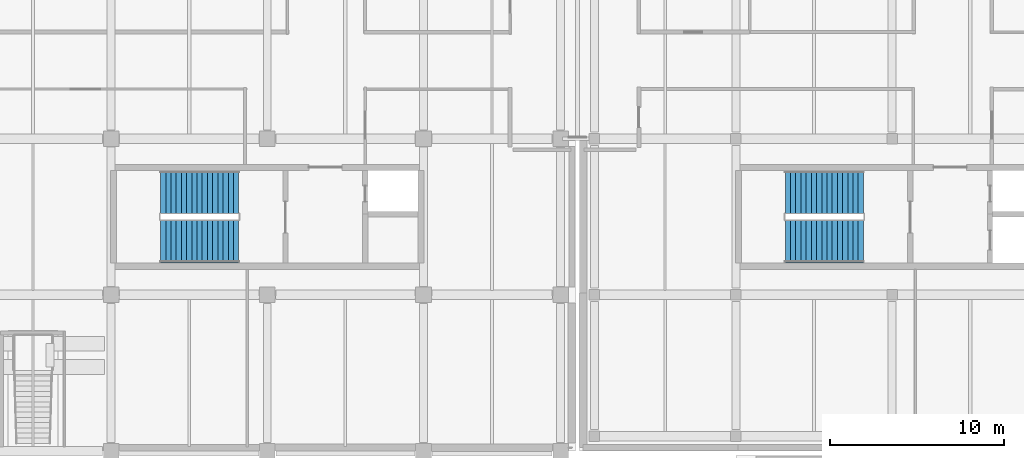
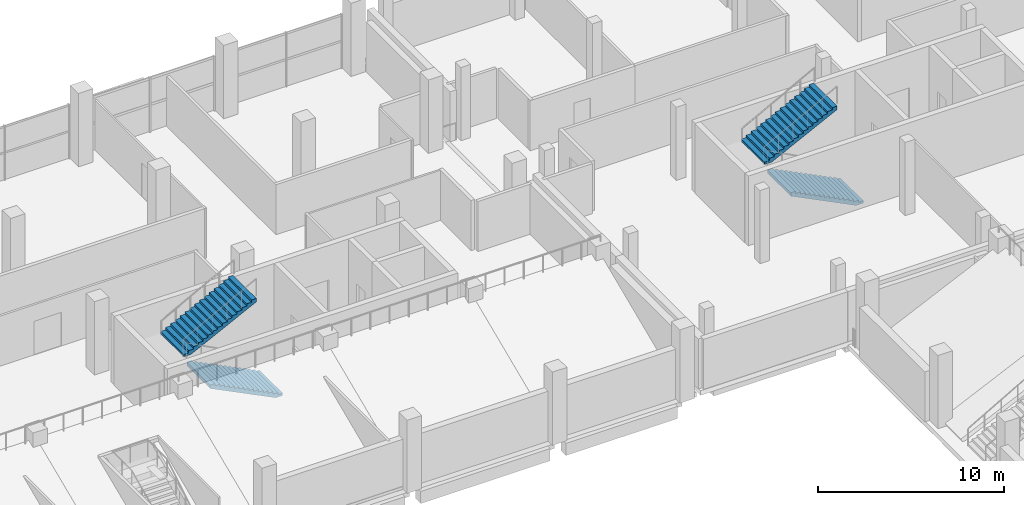
# One storey, part 74 of 100: 4 stair flights, 2 elements without a shape of their own.
"""IFC4 building model written with IfcOpenShell, lengths in metres."""

from ifc_helpers import new_model, si_unit, direction, frame, origin, place, context, subcontext, project, spatial, polyline, outline, extrude, material, type_object, element, aggregate, save


model = new_model("IFC4")

# Units and contexts
model_context = context("Model", 3, precision=1e-05, world=origin(), true_north=direction((0.0, 1.0)))
body_context = subcontext(model_context, "Body", "Model", "MODEL_VIEW")
ifc_project = project(units=[si_unit("LENGTHUNIT", "METRE"), si_unit("AREAUNIT", "SQUARE_METRE"), si_unit("VOLUMEUNIT", "CUBIC_METRE"), si_unit("PLANEANGLEUNIT", "RADIAN"), si_unit("MASSUNIT", "GRAM", prefix="KILO"), si_unit("THERMODYNAMICTEMPERATUREUNIT", "KELVIN"), si_unit("POWERUNIT", "WATT")], contexts=[model_context])

# Site, building, storey
site_placement = place(None, origin())
site = spatial("IfcSite", under=ifc_project, at=site_placement, CompositionType="ELEMENT")
building_placement = place(site_placement, origin())
building = spatial("IfcBuilding", under=site, at=building_placement, Name="Sindhuravela Promenade Stadium", CompositionType="ELEMENT")
storey_placement = place(building_placement, frame((0.0, 0.0, 4.800048828125)))
storey = spatial("IfcBuildingStorey", under=building, at=storey_placement, Name="L01", CompositionType="ELEMENT", Elevation=4.800048828125)

# Stair, stair flights
ifc_material = material(Name="Concrete M40", Category="concrete")
stair_type = type_object("IfcStairType", Name="ST-CORE-DOGLEG", PredefinedType="HALF_TURN_STAIR", material=ifc_material)
stair_1_placement = place(storey_placement, origin())
stair_1 = element("IfcStair", 1, at=stair_1_placement, inside=storey, type_object=stair_type, Name="Protected escape stair ST10 (L01)", PredefinedType="HALF_TURN_STAIR")
stair_flight_type = type_object("IfcStairFlightType", Name="SF-CORE-2400", PredefinedType="STRAIGHT", material=ifc_material)
stair_flight_1_placement = place(storey_placement, frame((142.35009765625, 138.090087890625, 0.0), z_axis=(0.0, 0.0, 1.0), x_axis=(-1.0, 0.0, 0.0)))
stair_flight_1 = element("IfcStairFlight", 2, at=stair_flight_1_placement, type_object=stair_flight_type, Name="Stair ST10 lower flight (L01)", NumberOfRisers=16, NumberOfTreads=15, PredefinedType="STRAIGHT", RiserHeight=0.15, TreadLength=0.3, context=body_context, shape_type="SweptSolid", body=[
    extrude(outline(polyline([(0.0, 0.0), (0.0, 0.14990234375), (0.300048828125, 0.14990234375), (0.300048828125, 0.300048828125), (0.60009765625, 0.300048828125), (0.60009765625, 0.449951171875), (0.89990234375, 0.449951171875), (0.89990234375, 0.60009765625), (1.199951171875, 0.60009765625), (1.199951171875, 0.75), (1.5, 0.75), (1.5, 0.89990234375), (1.800048828125, 0.89990234375), (1.800048828125, 1.050048828125), (2.10009765625, 1.050048828125), (2.10009765625, 1.199951171875), (2.39990234375, 1.199951171875), (2.39990234375, 1.35009765625), (2.699951171875, 1.35009765625), (2.699951171875, 1.5), (3.0, 1.5), (3.0, 1.64990234375), (3.300048828125, 1.64990234375), (3.300048828125, 1.800048828125), (3.60009765625, 1.800048828125), (3.60009765625, 1.949951171875), (3.89990234375, 1.949951171875), (3.89990234375, 2.10009765625), (4.199951171875, 2.10009765625), (4.199951171875, 2.25), (4.5, 2.25), (4.5, 2.39990234375), (4.5, 2.0263671875), (0.447021484375, 0.0), (0.0, 0.0)])), frame((0.0, 1.25, 0.0), z_axis=(0.0, -1.0, 0.0), x_axis=(1.0, 0.0, 0.0)), (0.0, 0.0, 1.0), 2.5),
])
stair_flight_2_placement = place(storey_placement, frame((137.85009765625, 140.909912109375, 2.39990234375), z_axis=(0.0, 0.0, 1.0), x_axis=(1.0, 0.0, 0.0)))
stair_flight_2 = element("IfcStairFlight", 3, at=stair_flight_2_placement, type_object=stair_flight_type, Name="Stair ST10 upper flight (L01)", NumberOfRisers=16, NumberOfTreads=15, PredefinedType="STRAIGHT", RiserHeight=0.15, TreadLength=0.3, context=body_context, shape_type="SweptSolid", body=[
    extrude(outline(polyline([(0.0, 0.0), (0.0, 0.14990234375), (0.300048828125, 0.14990234375), (0.300048828125, 0.300048828125), (0.60009765625, 0.300048828125), (0.60009765625, 0.449951171875), (0.89990234375, 0.449951171875), (0.89990234375, 0.60009765625), (1.199951171875, 0.60009765625), (1.199951171875, 0.75), (1.5, 0.75), (1.5, 0.89990234375), (1.800048828125, 0.89990234375), (1.800048828125, 1.050048828125), (2.10009765625, 1.050048828125), (2.10009765625, 1.199951171875), (2.39990234375, 1.199951171875), (2.39990234375, 1.35009765625), (2.699951171875, 1.35009765625), (2.699951171875, 1.5), (3.0, 1.5), (3.0, 1.64990234375), (3.300048828125, 1.64990234375), (3.300048828125, 1.800048828125), (3.60009765625, 1.800048828125), (3.60009765625, 1.949951171875), (3.89990234375, 1.949951171875), (3.89990234375, 2.10009765625), (4.199951171875, 2.10009765625), (4.199951171875, 2.25), (4.5, 2.25), (4.5, 2.39990234375), (4.5, 2.0263671875), (0.447021484375, 0.0), (0.0, 0.0)])), frame((0.0, 1.25, 0.0), z_axis=(0.0, -1.0, 0.0), x_axis=(1.0, 0.0, 0.0)), (0.0, 0.0, 1.0), 2.5),
])
aggregate(stair_1, [stair_flight_1, stair_flight_2])

stair_2_placement = place(storey_placement, origin())
stair_2 = element("IfcStair", 4, at=stair_2_placement, inside=storey, type_object=stair_type, Name="Protected escape stair GS04 (L01)", PredefinedType="HALF_TURN_STAIR")
stair_flight_3_placement = place(storey_placement, frame((178.35009765625, 138.090087890625, 0.0), z_axis=(0.0, 0.0, 1.0), x_axis=(-1.0, 0.0, 0.0)))
stair_flight_3 = element("IfcStairFlight", 5, at=stair_flight_3_placement, type_object=stair_flight_type, Name="Stair GS04 lower flight (L01)", NumberOfRisers=16, NumberOfTreads=15, PredefinedType="STRAIGHT", RiserHeight=0.15, TreadLength=0.3, context=body_context, shape_type="SweptSolid", body=[
    extrude(outline(polyline([(0.0, 0.0), (0.0, 0.14990234375), (0.300048828125, 0.14990234375), (0.300048828125, 0.300048828125), (0.60009765625, 0.300048828125), (0.60009765625, 0.449951171875), (0.89990234375, 0.449951171875), (0.89990234375, 0.60009765625), (1.199951171875, 0.60009765625), (1.199951171875, 0.75), (1.5, 0.75), (1.5, 0.89990234375), (1.800048828125, 0.89990234375), (1.800048828125, 1.050048828125), (2.10009765625, 1.050048828125), (2.10009765625, 1.199951171875), (2.39990234375, 1.199951171875), (2.39990234375, 1.35009765625), (2.699951171875, 1.35009765625), (2.699951171875, 1.5), (3.0, 1.5), (3.0, 1.64990234375), (3.300048828125, 1.64990234375), (3.300048828125, 1.800048828125), (3.60009765625, 1.800048828125), (3.60009765625, 1.949951171875), (3.89990234375, 1.949951171875), (3.89990234375, 2.10009765625), (4.199951171875, 2.10009765625), (4.199951171875, 2.25), (4.5, 2.25), (4.5, 2.39990234375), (4.5, 2.0263671875), (0.447021484375, 0.0), (0.0, 0.0)])), frame((0.0, 1.25, 0.0), z_axis=(0.0, -1.0, 0.0), x_axis=(1.0, 0.0, 0.0)), (0.0, 0.0, 1.0), 2.5),
])
stair_flight_4_placement = place(storey_placement, frame((173.85009765625, 140.909912109375, 2.39990234375), z_axis=(0.0, 0.0, 1.0), x_axis=(1.0, 0.0, 0.0)))
stair_flight_4 = element("IfcStairFlight", 6, at=stair_flight_4_placement, type_object=stair_flight_type, Name="Stair GS04 upper flight (L01)", NumberOfRisers=16, NumberOfTreads=15, PredefinedType="STRAIGHT", RiserHeight=0.15, TreadLength=0.3, context=body_context, shape_type="SweptSolid", body=[
    extrude(outline(polyline([(0.0, 0.0), (0.0, 0.14990234375), (0.300048828125, 0.14990234375), (0.300048828125, 0.300048828125), (0.60009765625, 0.300048828125), (0.60009765625, 0.449951171875), (0.89990234375, 0.449951171875), (0.89990234375, 0.60009765625), (1.199951171875, 0.60009765625), (1.199951171875, 0.75), (1.5, 0.75), (1.5, 0.89990234375), (1.800048828125, 0.89990234375), (1.800048828125, 1.050048828125), (2.10009765625, 1.050048828125), (2.10009765625, 1.199951171875), (2.39990234375, 1.199951171875), (2.39990234375, 1.35009765625), (2.699951171875, 1.35009765625), (2.699951171875, 1.5), (3.0, 1.5), (3.0, 1.64990234375), (3.300048828125, 1.64990234375), (3.300048828125, 1.800048828125), (3.60009765625, 1.800048828125), (3.60009765625, 1.949951171875), (3.89990234375, 1.949951171875), (3.89990234375, 2.10009765625), (4.199951171875, 2.10009765625), (4.199951171875, 2.25), (4.5, 2.25), (4.5, 2.39990234375), (4.5, 2.0263671875), (0.447021484375, 0.0), (0.0, 0.0)])), frame((0.0, 1.25, 0.0), z_axis=(0.0, -1.0, 0.0), x_axis=(1.0, 0.0, 0.0)), (0.0, 0.0, 1.0), 2.5),
])
aggregate(stair_2, [stair_flight_3, stair_flight_4])

save(model, "model.ifc")
